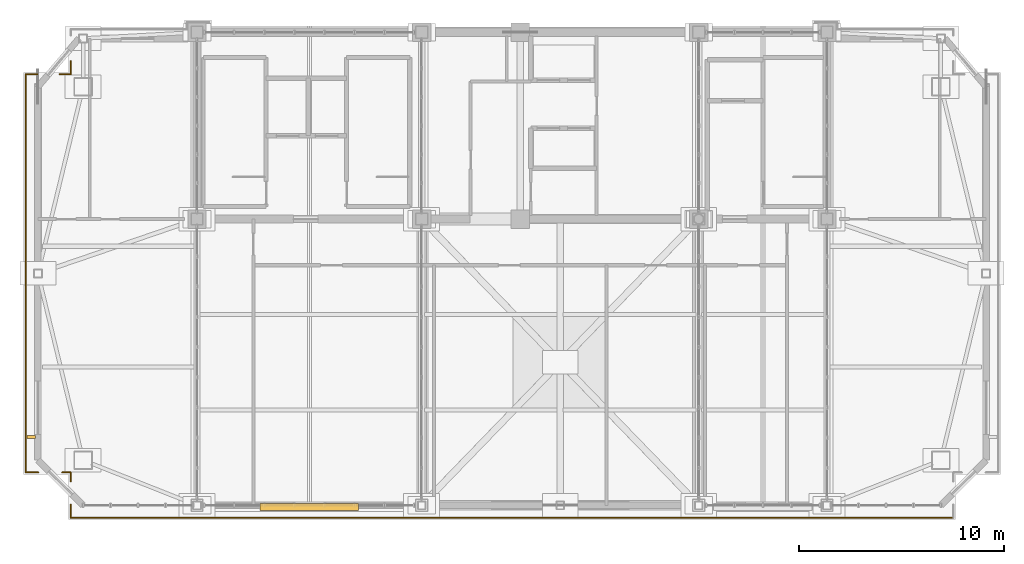
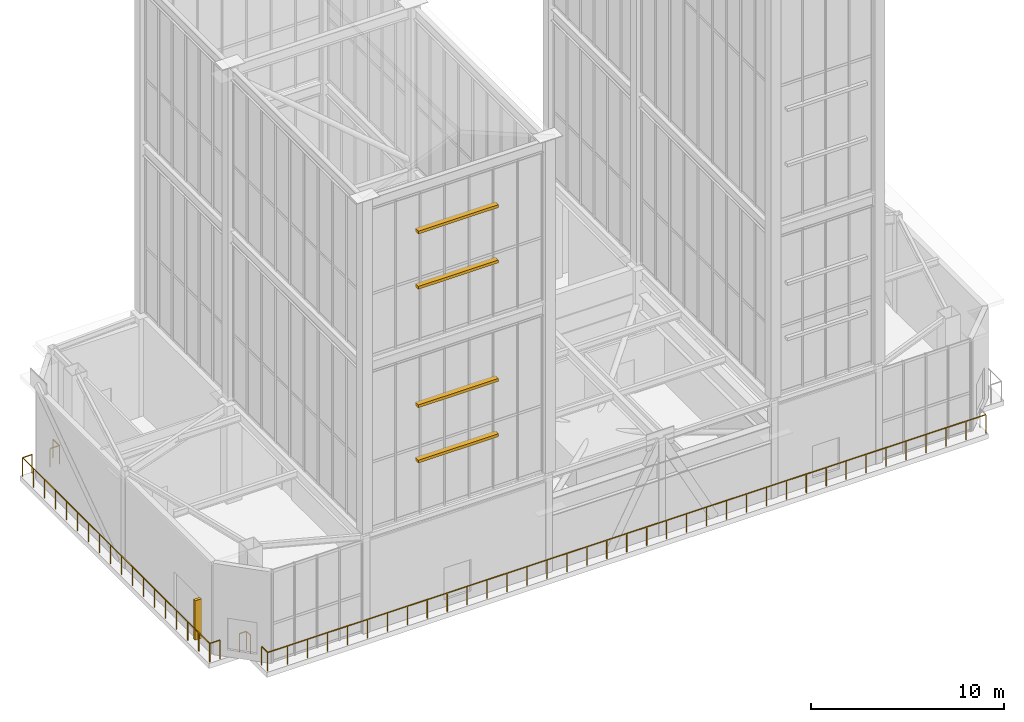
# One storey, part 133 of 135: 9 railings, 5 shading devices.
"""IFC4 building model written with IfcOpenShell, lengths in metres."""

import ifcopenshell
import ifcopenshell.guid

model = None  # the IFC model being written
_history = None  # IfcOwnerHistory: only IFC2X3 demands one
_inside = {}  # id of a spatial element -> (the spatial element, [elements in it])
_under = {}  # id of a project, library or spatial element -> (it, [spatial elements below it])
_declared = {}  # id of a project -> (the project, [libraries it declares])
_typed = {}  # id of a type object -> (the type object, [elements of that type])
_made_of = {}  # id of a material, layer set ... -> (it, [elements and type objects made of it])


def new_model(schema):
    """Start an empty IFC model of exactly this schema.

    Asked for "IFC4X3", IfcOpenShell would pick the latest addendum, in which some entities
    have other attributes; the version numbers below select the first issue.
    IFC2X3 requires an IfcOwnerHistory on every rooted entity: one is made here for all.
    """
    global model, _history
    if schema == "IFC4X3":
        model = ifcopenshell.file(schema_version=(4, 3, 0, 0))
    else:
        model = ifcopenshell.file(schema=schema)
    _inside.clear()
    _under.clear()
    _declared.clear()
    _typed.clear()
    _made_of.clear()
    _history = None
    if model.schema == "IFC2X3":
        org = make("IfcOrganization", Name="unknown")
        user = make(
            "IfcPersonAndOrganization",
            ThePerson=make("IfcPerson", FamilyName="unknown"),
            TheOrganization=org,
        )
        app = make(
            "IfcApplication",
            ApplicationDeveloper=org,
            Version="unknown",
            ApplicationFullName="unknown",
            ApplicationIdentifier="unknown",
        )
        _history = make(
            "IfcOwnerHistory",
            OwningUser=user,
            OwningApplication=app,
            ChangeAction="ADDED",
            CreationDate=0,
        )
    return model


def make(cls, **values):
    """One entity of the class cls with the attributes given. An attribute that is None is left unset."""
    return model.create_entity(
        cls, **{name: value for name, value in values.items() if value is not None}
    )


def rooted(cls, **values):
    """An entity with a GlobalId (a new one), such as an element, a storey or a relation."""
    return make(cls, GlobalId=ifcopenshell.guid.new(), OwnerHistory=_history, **values)


def si_unit(unit_type, name, prefix=None):
    """IfcSIUnit, for example si_unit("LENGTHUNIT", "METRE", prefix="MILLI")."""
    return make("IfcSIUnit", UnitType=unit_type, Prefix=prefix, Name=name)


def assignment(units):
    """IfcUnitAssignment: the units of a project."""
    return None if units is None else make("IfcUnitAssignment", Units=units)


def point(xyz):
    """IfcCartesianPoint."""
    return None if xyz is None else make("IfcCartesianPoint", Coordinates=xyz)


def direction(xyz):
    """IfcDirection."""
    return None if xyz is None else make("IfcDirection", DirectionRatios=xyz)


def frame(location, z_axis=None, x_axis=None):
    """IfcAxis2Placement3D, a coordinate frame: its origin and axes. An axis left out is left unset."""
    return make(
        "IfcAxis2Placement3D",
        Location=point(location),
        Axis=direction(z_axis),
        RefDirection=direction(x_axis),
    )


def frame_2d(location, x_axis=None):
    """IfcAxis2Placement2D, a coordinate frame in the plane: its origin and x axis."""
    return make(
        "IfcAxis2Placement2D", Location=point(location), RefDirection=direction(x_axis)
    )


def origin():
    """The frame at (0, 0, 0) with its axes left unset."""
    return frame((0.0, 0.0, 0.0))


def origin_2d():
    """The frame at (0, 0) in the plane with its x axis left unset."""
    return frame_2d((0.0, 0.0))


def place(relative_to, where):
    """IfcLocalPlacement: puts the frame where relative to a parent placement (None: the world)."""
    return make(
        "IfcLocalPlacement", PlacementRelTo=relative_to, RelativePlacement=where
    )


def context(
    kind, dimensions, precision=None, world=None, true_north=None, identifier=None
):
    """IfcGeometricRepresentationContext, for example the 3D "Model" context."""
    return make(
        "IfcGeometricRepresentationContext",
        ContextIdentifier=identifier,
        ContextType=kind,
        CoordinateSpaceDimension=dimensions,
        Precision=precision,
        WorldCoordinateSystem=world,
        TrueNorth=true_north,
    )


def subcontext(parent, identifier, kind, view, scale=None):
    """IfcGeometricRepresentationSubContext, for example "Body" below "Model"."""
    return make(
        "IfcGeometricRepresentationSubContext",
        ContextIdentifier=identifier,
        ContextType=kind,
        ParentContext=parent,
        TargetScale=scale,
        TargetView=view,
    )


def project(units=None, contexts=None):
    """IfcProject with its units and contexts."""
    return rooted(
        "IfcProject",
        Name="project",
        RepresentationContexts=contexts,
        UnitsInContext=assignment(units),
    )


def spatial(cls, under=None, at=None, **own):
    """A site, building, storey or space (cls), placed at a placement, below another one or the project."""
    s = rooted(cls, ObjectPlacement=at, **own)
    if under is not None:
        _under.setdefault(under.id(), (under, []))[1].append(s)
    return s


def profile(cls, at=None, kind="AREA", **sizes):
    """A parametric profile (cls). Its sizes go by their IFC names, for example OverallWidth=200.0."""
    return make(cls, ProfileType=kind, Position=at, **sizes)


def rectangle(**sizes):
    """IfcRectangleProfileDef."""
    return profile("IfcRectangleProfileDef", **sizes)


def extrude(swept, where, along, depth):
    """IfcExtrudedAreaSolid: the profile swept, set in the frame where, extruded along a direction by depth."""
    return make(
        "IfcExtrudedAreaSolid",
        SweptArea=swept,
        Position=where,
        ExtrudedDirection=direction(along),
        Depth=depth,
    )


def shape(context_of_items, identifier, shape_type, items):
    """IfcShapeRepresentation: the items that make up one representation, for example the "Body"."""
    return make(
        "IfcShapeRepresentation",
        ContextOfItems=context_of_items,
        RepresentationIdentifier=identifier,
        RepresentationType=shape_type,
        Items=items,
    )


def source(mapping_origin, context_of_items, identifier, shape_type, items):
    """IfcRepresentationMap: a shape defined once, which mapped items show again and again."""
    return make(
        "IfcRepresentationMap",
        MappingOrigin=mapping_origin,
        MappedRepresentation=shape(context_of_items, identifier, shape_type, items),
    )


def transform(
    local_origin,
    x_axis=None,
    y_axis=None,
    z_axis=None,
    scale=None,
    scale2=None,
    scale3=None,
    uniform=True,
):
    """IfcCartesianTransformationOperator3D, or its non-uniform kind. x_axis, y_axis, z_axis: its Axis1, 2, 3."""
    if uniform:
        return make(
            "IfcCartesianTransformationOperator3D",
            Axis1=direction(x_axis),
            Axis2=direction(y_axis),
            LocalOrigin=point(local_origin),
            Scale=scale,
            Axis3=direction(z_axis),
        )
    return make(
        "IfcCartesianTransformationOperator3DnonUniform",
        Axis1=direction(x_axis),
        Axis2=direction(y_axis),
        LocalOrigin=point(local_origin),
        Scale=scale,
        Axis3=direction(z_axis),
        Scale2=scale2,
        Scale3=scale3,
    )


def mapped(mapping_source, mapping_target):
    """IfcMappedItem: shows the shape of a source again, moved by a transform."""
    return make(
        "IfcMappedItem", MappingSource=mapping_source, MappingTarget=mapping_target
    )


def material(Name=None, Category=None):
    """IfcMaterial."""
    return make("IfcMaterial", Name=Name, Category=Category)


def made_of(thing, what):
    """Note that an element or type object is made of a material, layer set ...; save() writes the relation."""
    if what is not None:
        _made_of.setdefault(what.id(), (what, []))[1].append(thing)
    return thing


def type_object(cls, material=None, **own):
    """A type object (cls), such as IfcWallType, which elements share."""
    return made_of(rooted(cls, **own), material)


def element(
    cls,
    number,
    at=None,
    inside=None,
    cuts=None,
    type_object=None,
    material=None,
    context=None,
    identifier="Body",
    shape_type=None,
    held_by="IfcProductDefinitionShape",
    body=None,
    shapes=None,
    **own,
):
    """One element of the class cls, such as IfcWall. Its Tag is "e" and its number.

    at: its placement. inside: the storey or other place that contains it. cuts: it is an
    opening in that element (IfcRelVoidsElement). A single representation is given by context,
    identifier, shape_type and body (its items); several are given by shapes. held_by: the class
    of the entity that holds the representations. save() writes the other relations.
    """
    e = rooted(cls, Tag="e%d" % number, ObjectPlacement=at, **own)
    if body is not None:
        shapes = [shape(context, identifier, shape_type, body)]
    if shapes is not None:
        e.Representation = make(held_by, Representations=shapes)
    if inside is not None:
        _inside.setdefault(inside.id(), (inside, []))[1].append(e)
    if cuts is not None:
        rooted(
            "IfcRelVoidsElement", RelatingBuildingElement=cuts, RelatedOpeningElement=e
        )
    if type_object is not None:
        _typed.setdefault(type_object.id(), (type_object, []))[1].append(e)
    return made_of(e, material)


def aggregate(whole, parts):
    """IfcRelAggregates: a whole, such as a stair, and the parts it consists of."""
    return rooted("IfcRelAggregates", RelatingObject=whole, RelatedObjects=parts)


def save(model, path):
    """Write the relations noted so far, then the file.

    IfcRelAggregates (storeys below a building ...), IfcRelContainedInSpatialStructure (elements
    in a storey), IfcRelDefinesByType, IfcRelAssociatesMaterial and IfcRelDeclares: one each for
    every whole, place, type object, material and project.
    """
    for whole, parts in _under.values():
        aggregate(whole, parts)
    for where, things in _inside.values():
        rooted(
            "IfcRelContainedInSpatialStructure",
            RelatedElements=things,
            RelatingStructure=where,
        )
    for kind, things in _typed.values():
        rooted("IfcRelDefinesByType", RelatedObjects=things, RelatingType=kind)
    for what, things in _made_of.values():
        rooted("IfcRelAssociatesMaterial", RelatedObjects=things, RelatingMaterial=what)
    for by, libraries in _declared.values():
        rooted("IfcRelDeclares", RelatingContext=by, RelatedDefinitions=libraries)
    model.write(path)


model = new_model("IFC4")

# Units and contexts
model_context = context("Model", 3, precision=1e-05, world=origin(), true_north=direction((0.0, 1.0)))
body_context = subcontext(model_context, "Body", "Model", "MODEL_VIEW")
ifc_project = project(units=[si_unit("LENGTHUNIT", "METRE"), si_unit("AREAUNIT", "SQUARE_METRE"), si_unit("VOLUMEUNIT", "CUBIC_METRE"), si_unit("PLANEANGLEUNIT", "RADIAN"), si_unit("MASSUNIT", "GRAM", prefix="KILO")], contexts=[model_context])

# Site, building, storey
site_placement = place(None, origin())
site = spatial("IfcSite", under=ifc_project, at=site_placement, CompositionType="ELEMENT")
building_placement = place(site_placement, origin())
building = spatial("IfcBuilding", under=site, at=building_placement, Name="Giltprow Tower", CompositionType="ELEMENT")
storey_placement = place(building_placement, frame((0.0, 0.0, 352.699951171875)))
storey = spatial("IfcBuildingStorey", under=building, at=storey_placement, Name="L92", CompositionType="ELEMENT", Elevation=352.699951171875)

# Railings
ifc_material = material(Name="Anodized bronze", Category="metal")
railing_type = type_object("IfcRailingType", Name="RAIL-BALC-GUARD-1200", PredefinedType="BALUSTRADE", material=ifc_material)
railing_1_placement = place(storey_placement, frame((56.699951171875, 22.89990234375, 0.0)))
element("IfcRailing", 1, at=railing_1_placement, inside=storey, type_object=railing_type, Name="L92 Corner Apron Edge Balustrade 6", PredefinedType="BALUSTRADE", context=body_context, shape_type="SweptSolid", body=[
    extrude(rectangle(XDim=0.048095703125, YDim=0.048095703125, at=origin_2d()), frame((0.0, 0.0, 1.17578125), z_axis=(-1.0, 0.0, 0.0), x_axis=(0.0, -1.0, 0.0)), (0.0, 0.0, 1.0), 43.0),
    extrude(rectangle(XDim=0.0419921875, YDim=0.0419921875, at=origin_2d()), origin(), (0.0, 0.0, 1.0), 1.15185546875),
    extrude(rectangle(XDim=0.0419921875, YDim=0.0419921875, at=origin_2d()), frame((-1.1943359375, 0.0, 0.0)), (0.0, 0.0, 1.0), 1.15185546875),
    extrude(rectangle(XDim=0.0419921875, YDim=0.0419921875, at=origin_2d()), frame((-2.388916015625, 0.0, 0.0)), (0.0, 0.0, 1.0), 1.15185546875),
    extrude(rectangle(XDim=0.0419921875, YDim=0.0419921875, at=origin_2d()), frame((-3.583251953125, 0.0, 0.0)), (0.0, 0.0, 1.0), 1.15185546875),
    extrude(rectangle(XDim=0.0419921875, YDim=0.0419921875, at=origin_2d()), frame((-4.77783203125, 0.0, 0.0)), (0.0, 0.0, 1.0), 1.15185546875),
    extrude(rectangle(XDim=0.0419921875, YDim=0.0419921875, at=origin_2d()), frame((-5.97216796875, 0.0, 0.0)), (0.0, 0.0, 1.0), 1.15185546875),
    extrude(rectangle(XDim=0.0419921875, YDim=0.0419921875, at=origin_2d()), frame((-7.166748046875, 0.0, 0.0)), (0.0, 0.0, 1.0), 1.15185546875),
    extrude(rectangle(XDim=0.0419921875, YDim=0.0419921875, at=origin_2d()), frame((-8.361083984375, 0.0, 0.0)), (0.0, 0.0, 1.0), 1.15185546875),
    extrude(rectangle(XDim=0.0419921875, YDim=0.0419921875, at=origin_2d()), frame((-9.5556640625, 0.0, 0.0)), (0.0, 0.0, 1.0), 1.15185546875),
    extrude(rectangle(XDim=0.0419921875, YDim=0.0419921875, at=origin_2d()), frame((-10.75, 0.0, 0.0)), (0.0, 0.0, 1.0), 1.15185546875),
    extrude(rectangle(XDim=0.0419921875, YDim=0.0419921875, at=origin_2d()), frame((-11.9443359375, 0.0, 0.0)), (0.0, 0.0, 1.0), 1.15185546875),
    extrude(rectangle(XDim=0.0419921875, YDim=0.0419921875, at=origin_2d()), frame((-13.138916015625, 0.0, 0.0)), (0.0, 0.0, 1.0), 1.15185546875),
    extrude(rectangle(XDim=0.0419921875, YDim=0.0419921875, at=origin_2d()), frame((-14.333251953125, 0.0, 0.0)), (0.0, 0.0, 1.0), 1.15185546875),
    extrude(rectangle(XDim=0.0419921875, YDim=0.0419921875, at=origin_2d()), frame((-15.52783203125, 0.0, 0.0)), (0.0, 0.0, 1.0), 1.15185546875),
    extrude(rectangle(XDim=0.0419921875, YDim=0.0419921875, at=origin_2d()), frame((-16.72216796875, 0.0, 0.0)), (0.0, 0.0, 1.0), 1.15185546875),
    extrude(rectangle(XDim=0.0419921875, YDim=0.0419921875, at=origin_2d()), frame((-17.916748046875, 0.0, 0.0)), (0.0, 0.0, 1.0), 1.15185546875),
    extrude(rectangle(XDim=0.0419921875, YDim=0.0419921875, at=origin_2d()), frame((-19.111083984375, 0.0, 0.0)), (0.0, 0.0, 1.0), 1.15185546875),
    extrude(rectangle(XDim=0.0419921875, YDim=0.0419921875, at=origin_2d()), frame((-20.3056640625, 0.0, 0.0)), (0.0, 0.0, 1.0), 1.15185546875),
    extrude(rectangle(XDim=0.0419921875, YDim=0.0419921875, at=origin_2d()), frame((-21.5, 0.0, 0.0)), (0.0, 0.0, 1.0), 1.15185546875),
    extrude(rectangle(XDim=0.0419921875, YDim=0.0419921875, at=origin_2d()), frame((-22.6943359375, 0.0, 0.0)), (0.0, 0.0, 1.0), 1.15185546875),
    extrude(rectangle(XDim=0.0419921875, YDim=0.0419921875, at=origin_2d()), frame((-23.888916015625, 0.0, 0.0)), (0.0, 0.0, 1.0), 1.15185546875),
    extrude(rectangle(XDim=0.0419921875, YDim=0.0419921875, at=origin_2d()), frame((-25.083251953125, 0.0, 0.0)), (0.0, 0.0, 1.0), 1.15185546875),
    extrude(rectangle(XDim=0.0419921875, YDim=0.0419921875, at=origin_2d()), frame((-26.27783203125, 0.0, 0.0)), (0.0, 0.0, 1.0), 1.15185546875),
    extrude(rectangle(XDim=0.0419921875, YDim=0.0419921875, at=origin_2d()), frame((-27.47216796875, 0.0, 0.0)), (0.0, 0.0, 1.0), 1.15185546875),
    extrude(rectangle(XDim=0.0419921875, YDim=0.0419921875, at=origin_2d()), frame((-28.666748046875, 0.0, 0.0)), (0.0, 0.0, 1.0), 1.15185546875),
    extrude(rectangle(XDim=0.0419921875, YDim=0.0419921875, at=origin_2d()), frame((-29.861083984375, 0.0, 0.0)), (0.0, 0.0, 1.0), 1.15185546875),
    extrude(rectangle(XDim=0.0419921875, YDim=0.0419921875, at=origin_2d()), frame((-31.0556640625, 0.0, 0.0)), (0.0, 0.0, 1.0), 1.15185546875),
    extrude(rectangle(XDim=0.0419921875, YDim=0.0419921875, at=origin_2d()), frame((-32.25, 0.0, 0.0)), (0.0, 0.0, 1.0), 1.15185546875),
    extrude(rectangle(XDim=0.0419921875, YDim=0.0419921875, at=origin_2d()), frame((-33.4443359375, 0.0, 0.0)), (0.0, 0.0, 1.0), 1.15185546875),
    extrude(rectangle(XDim=0.0419921875, YDim=0.0419921875, at=origin_2d()), frame((-34.638916015625, 0.0, 0.0)), (0.0, 0.0, 1.0), 1.15185546875),
    extrude(rectangle(XDim=0.0419921875, YDim=0.0419921875, at=origin_2d()), frame((-35.833251953125, 0.0, 0.0)), (0.0, 0.0, 1.0), 1.15185546875),
    extrude(rectangle(XDim=0.0419921875, YDim=0.0419921875, at=origin_2d()), frame((-37.02783203125, 0.0, 0.0)), (0.0, 0.0, 1.0), 1.15185546875),
    extrude(rectangle(XDim=0.0419921875, YDim=0.0419921875, at=origin_2d()), frame((-38.22216796875, 0.0, 0.0)), (0.0, 0.0, 1.0), 1.15185546875),
    extrude(rectangle(XDim=0.0419921875, YDim=0.0419921875, at=origin_2d()), frame((-39.416748046875, 0.0, 0.0)), (0.0, 0.0, 1.0), 1.15185546875),
    extrude(rectangle(XDim=0.0419921875, YDim=0.0419921875, at=origin_2d()), frame((-40.611083984375, 0.0, 0.0)), (0.0, 0.0, 1.0), 1.15185546875),
    extrude(rectangle(XDim=0.0419921875, YDim=0.0419921875, at=origin_2d()), frame((-41.8056640625, 0.0, 0.0)), (0.0, 0.0, 1.0), 1.15185546875),
    extrude(rectangle(XDim=0.0419921875, YDim=0.0419921875, at=origin_2d()), frame((-43.0, 0.0, 0.0)), (0.0, 0.0, 1.0), 1.15185546875),
])
railing_2_placement = place(storey_placement, frame((13.699951171875, 22.89990234375, 0.0)))
element("IfcRailing", 2, at=railing_2_placement, inside=storey, type_object=railing_type, Name="L92 Corner Apron Edge Balustrade 7", PredefinedType="BALUSTRADE", context=body_context, shape_type="SweptSolid", body=[
    extrude(rectangle(XDim=0.048095703125, YDim=0.048095703125, at=origin_2d()), frame((0.0, 0.0, 1.17578125), z_axis=(0.0, 1.0, 0.0), x_axis=(-1.0, 0.0, 0.0)), (0.0, 0.0, 1.0), 0.6201171875),
    extrude(rectangle(XDim=0.0419921875, YDim=0.0419921875, at=origin_2d()), origin(), (0.0, 0.0, 1.0), 1.15185546875),
    extrude(rectangle(XDim=0.0419921875, YDim=0.0419921875, at=origin_2d()), frame((0.0, 0.6201171875, 0.0)), (0.0, 0.0, 1.0), 1.15185546875),
])
railing_3_placement = place(storey_placement, frame((13.699951171875, 24.679931640625, 0.0)))
element("IfcRailing", 3, at=railing_3_placement, inside=storey, type_object=railing_type, Name="L92 Corner Apron Edge Balustrade 8", PredefinedType="BALUSTRADE", context=body_context, shape_type="SweptSolid", body=[
    extrude(rectangle(XDim=0.048095703125, YDim=0.048095703125, at=origin_2d()), frame((0.0, 0.0, 1.17578125), z_axis=(0.0, 1.0, 0.0), x_axis=(-1.0, 0.0, 0.0)), (0.0, 0.0, 1.0), 0.420166015625),
    extrude(rectangle(XDim=0.0419921875, YDim=0.0419921875, at=origin_2d()), origin(), (0.0, 0.0, 1.0), 1.15185546875),
    extrude(rectangle(XDim=0.0419921875, YDim=0.0419921875, at=origin_2d()), frame((0.0, 0.420166015625, 0.0)), (0.0, 0.0, 1.0), 1.15185546875),
])
railing_4_placement = place(storey_placement, frame((13.699951171875, 25.10009765625, 0.0)))
element("IfcRailing", 4, at=railing_4_placement, inside=storey, type_object=railing_type, Name="L92 Corner Apron Edge Balustrade 9", PredefinedType="BALUSTRADE", context=body_context, shape_type="SweptSolid", body=[
    extrude(rectangle(XDim=0.048095703125, YDim=0.048095703125, at=origin_2d()), frame((0.0, 0.0, 1.17578125), z_axis=(-1.0, 0.0, 0.0), x_axis=(0.0, -1.0, 0.0)), (0.0, 0.0, 1.0), 0.419921875),
    extrude(rectangle(XDim=0.0419921875, YDim=0.0419921875, at=origin_2d()), origin(), (0.0, 0.0, 1.0), 1.15185546875),
    extrude(rectangle(XDim=0.0419921875, YDim=0.0419921875, at=origin_2d()), frame((-0.419921875, 0.0, 0.0)), (0.0, 0.0, 1.0), 1.15185546875),
])
railing_5_placement = place(storey_placement, frame((12.1201171875, 25.10009765625, 0.0)))
element("IfcRailing", 5, at=railing_5_placement, inside=storey, type_object=railing_type, Name="L92 Corner Apron Edge Balustrade 10", PredefinedType="BALUSTRADE", context=body_context, shape_type="SweptSolid", body=[
    extrude(rectangle(XDim=0.048095703125, YDim=0.048095703125, at=origin_2d()), frame((0.0, 0.0, 1.17578125), z_axis=(-1.0, 0.0, 0.0), x_axis=(0.0, -1.0, 0.0)), (0.0, 0.0, 1.0), 0.6201171875),
    extrude(rectangle(XDim=0.0419921875, YDim=0.0419921875, at=origin_2d()), origin(), (0.0, 0.0, 1.0), 1.15185546875),
    extrude(rectangle(XDim=0.0419921875, YDim=0.0419921875, at=origin_2d()), frame((-0.6201171875, 0.0, 0.0)), (0.0, 0.0, 1.0), 1.15185546875),
])
railing_6_placement = place(storey_placement, frame((11.5, 25.10009765625, 0.0)))
element("IfcRailing", 6, at=railing_6_placement, inside=storey, type_object=railing_type, Name="L92 Corner Apron Edge Balustrade 11", PredefinedType="BALUSTRADE", context=body_context, shape_type="SweptSolid", body=[
    extrude(rectangle(XDim=0.048095703125, YDim=0.048095703125, at=origin_2d()), frame((0.0, 0.0, 1.17578125), z_axis=(0.0, 1.0, 0.0), x_axis=(-1.0, 0.0, 0.0)), (0.0, 0.0, 1.0), 19.39990234375),
    extrude(rectangle(XDim=0.0419921875, YDim=0.0419921875, at=origin_2d()), origin(), (0.0, 0.0, 1.0), 1.15185546875),
    extrude(rectangle(XDim=0.0419921875, YDim=0.0419921875, at=origin_2d()), frame((0.0, 1.14111328125, 0.0)), (0.0, 0.0, 1.0), 1.15185546875),
    extrude(rectangle(XDim=0.0419921875, YDim=0.0419921875, at=origin_2d()), frame((0.0, 2.2822265625, 0.0)), (0.0, 0.0, 1.0), 1.15185546875),
    extrude(rectangle(XDim=0.0419921875, YDim=0.0419921875, at=origin_2d()), frame((0.0, 3.423583984375, 0.0)), (0.0, 0.0, 1.0), 1.15185546875),
    extrude(rectangle(XDim=0.0419921875, YDim=0.0419921875, at=origin_2d()), frame((0.0, 4.564697265625, 0.0)), (0.0, 0.0, 1.0), 1.15185546875),
    extrude(rectangle(XDim=0.0419921875, YDim=0.0419921875, at=origin_2d()), frame((0.0, 5.705810546875, 0.0)), (0.0, 0.0, 1.0), 1.15185546875),
    extrude(rectangle(XDim=0.0419921875, YDim=0.0419921875, at=origin_2d()), frame((0.0, 6.846923828125, 0.0)), (0.0, 0.0, 1.0), 1.15185546875),
    extrude(rectangle(XDim=0.0419921875, YDim=0.0419921875, at=origin_2d()), frame((0.0, 7.98828125, 0.0)), (0.0, 0.0, 1.0), 1.15185546875),
    extrude(rectangle(XDim=0.0419921875, YDim=0.0419921875, at=origin_2d()), frame((0.0, 9.12939453125, 0.0)), (0.0, 0.0, 1.0), 1.15185546875),
    extrude(rectangle(XDim=0.0419921875, YDim=0.0419921875, at=origin_2d()), frame((0.0, 10.2705078125, 0.0)), (0.0, 0.0, 1.0), 1.15185546875),
    extrude(rectangle(XDim=0.0419921875, YDim=0.0419921875, at=origin_2d()), frame((0.0, 11.41162109375, 0.0)), (0.0, 0.0, 1.0), 1.15185546875),
    extrude(rectangle(XDim=0.0419921875, YDim=0.0419921875, at=origin_2d()), frame((0.0, 12.552978515625, 0.0)), (0.0, 0.0, 1.0), 1.15185546875),
    extrude(rectangle(XDim=0.0419921875, YDim=0.0419921875, at=origin_2d()), frame((0.0, 13.694091796875, 0.0)), (0.0, 0.0, 1.0), 1.15185546875),
    extrude(rectangle(XDim=0.0419921875, YDim=0.0419921875, at=origin_2d()), frame((0.0, 14.835205078125, 0.0)), (0.0, 0.0, 1.0), 1.15185546875),
    extrude(rectangle(XDim=0.0419921875, YDim=0.0419921875, at=origin_2d()), frame((0.0, 15.976318359375, 0.0)), (0.0, 0.0, 1.0), 1.15185546875),
    extrude(rectangle(XDim=0.0419921875, YDim=0.0419921875, at=origin_2d()), frame((0.0, 17.11767578125, 0.0)), (0.0, 0.0, 1.0), 1.15185546875),
    extrude(rectangle(XDim=0.0419921875, YDim=0.0419921875, at=origin_2d()), frame((0.0, 18.2587890625, 0.0)), (0.0, 0.0, 1.0), 1.15185546875),
    extrude(rectangle(XDim=0.0419921875, YDim=0.0419921875, at=origin_2d()), frame((0.0, 19.39990234375, 0.0)), (0.0, 0.0, 1.0), 1.15185546875),
])
railing_7_placement = place(storey_placement, frame((11.5, 44.5, 0.0)))
element("IfcRailing", 7, at=railing_7_placement, inside=storey, type_object=railing_type, Name="L92 Corner Apron Edge Balustrade 12", PredefinedType="BALUSTRADE", context=body_context, shape_type="SweptSolid", body=[
    extrude(rectangle(XDim=0.048095703125, YDim=0.048095703125, at=origin_2d()), frame((0.0, 0.0, 1.17578125), z_axis=(1.0, 0.0, 0.0), x_axis=(0.0, 1.0, 0.0)), (0.0, 0.0, 1.0), 0.572021484375),
    extrude(rectangle(XDim=0.0419921875, YDim=0.0419921875, at=origin_2d()), origin(), (0.0, 0.0, 1.0), 1.15185546875),
    extrude(rectangle(XDim=0.0419921875, YDim=0.0419921875, at=origin_2d()), frame((0.572021484375, 0.0, 0.0)), (0.0, 0.0, 1.0), 1.15185546875),
])
railing_8_placement = place(storey_placement, frame((13.14892578125, 44.5, 0.0)))
element("IfcRailing", 8, at=railing_8_placement, inside=storey, type_object=railing_type, Name="L92 Corner Apron Edge Balustrade 13", PredefinedType="BALUSTRADE", context=body_context, shape_type="SweptSolid", body=[
    extrude(rectangle(XDim=0.048095703125, YDim=0.048095703125, at=origin_2d()), frame((0.0, 0.0, 1.17578125), z_axis=(1.0, 0.0, 0.0), x_axis=(0.0, 1.0, 0.0)), (0.0, 0.0, 1.0), 0.551025390625),
    extrude(rectangle(XDim=0.0419921875, YDim=0.0419921875, at=origin_2d()), origin(), (0.0, 0.0, 1.0), 1.15185546875),
    extrude(rectangle(XDim=0.0419921875, YDim=0.0419921875, at=origin_2d()), frame((0.551025390625, 0.0, 0.0)), (0.0, 0.0, 1.0), 1.15185546875),
])
railing_9_placement = place(storey_placement, frame((13.699951171875, 44.5, 0.0)))
element("IfcRailing", 9, at=railing_9_placement, inside=storey, type_object=railing_type, Name="L92 Corner Apron Edge Balustrade 14", PredefinedType="BALUSTRADE", context=body_context, shape_type="SweptSolid", body=[
    extrude(rectangle(XDim=0.048095703125, YDim=0.048095703125, at=origin_2d()), frame((0.0, 0.0, 1.17578125), z_axis=(0.0, 1.0, 0.0), x_axis=(-1.0, 0.0, 0.0)), (0.0, 0.0, 1.0), 0.64697265625),
    extrude(rectangle(XDim=0.0419921875, YDim=0.0419921875, at=origin_2d()), origin(), (0.0, 0.0, 1.0), 1.15185546875),
    extrude(rectangle(XDim=0.0419921875, YDim=0.0419921875, at=origin_2d()), frame((0.0, 0.64697265625, 0.0)), (0.0, 0.0, 1.0), 1.15185546875),
])

# Shading devices
shading_device_type_1 = type_object("IfcShadingDeviceType", Name="SHD-FIN-420", PredefinedType="USERDEFINED", material=ifc_material)
shared_shape_1 = source(origin(), body_context, "Body", "SweptSolid", [
    extrude(rectangle(XDim=0.419921875, YDim=0.159912109375, at=origin_2d()), origin(), (0.0, 0.0, 1.0), 2.5),
])
shading_device_placement = place(storey_placement, frame((11.780029296875, 26.833984375, 0.35009765625), z_axis=(0.0, 0.0, 1.0), x_axis=(1.0, 0.0, 0.0)))
element("IfcShadingDevice", 10, at=shading_device_placement, inside=storey, type_object=shading_device_type_1, Name="L92 W Bronze Vertical Fin 1-1", ObjectType="FIN", PredefinedType="USERDEFINED", context=body_context, shape_type="MappedRepresentation", body=[
    mapped(shared_shape_1, transform((0.0, 0.0, 0.0), x_axis=(1.0, 0.0, 0.0), y_axis=(0.0, 1.0, 0.0), z_axis=(0.0, 0.0, 1.0), scale=1.0)),
])
shading_device_type_2 = type_object("IfcShadingDeviceType", Name="SHD-CROWN-SLAT-180", PredefinedType="USERDEFINED", material=ifc_material)
shared_shape_2 = source(origin(), body_context, "Body", "SweptSolid", [
    extrude(rectangle(XDim=4.800048828125, YDim=0.320068359375, at=origin_2d()), origin(), (0.0, 0.0, 1.0), 0.179931640625),
])
for number, where, z_axis, x_axis, name in (
    (11, (25.324951171875, 23.419921875, 9.7099609375), (0.0, 0.0, 1.0), (1.0, 0.0, 0.0), "Crown West Bronze Sunshade Slat 1"),
    (12, (25.324951171875, 23.419921875, 13.2099609375), (0.0, 0.0, 1.0), (1.0, 0.0, 0.0), "Crown West Bronze Sunshade Slat 2"),
    (13, (25.324951171875, 23.419921875, 20.7099609375), (0.0, 0.0, 1.0), (1.0, 0.0, 0.0), "Crown West Bronze Sunshade Slat 3"),
    (14, (25.324951171875, 23.419921875, 24.2099609375), (0.0, 0.0, 1.0), (1.0, 0.0, 0.0), "Crown West Bronze Sunshade Slat 4"),
):
    element("IfcShadingDevice", number, at=place(storey_placement, frame(where, z_axis=z_axis, x_axis=x_axis)), inside=storey, type_object=shading_device_type_2, Name=name, ObjectType="SUNSHADE", PredefinedType="USERDEFINED", context=body_context, shape_type="MappedRepresentation", body=[
        mapped(shared_shape_2, transform((0.0, 0.0, 0.0), x_axis=(1.0, 0.0, 0.0), y_axis=(0.0, 1.0, 0.0), z_axis=(0.0, 0.0, 1.0), scale=1.0)),
    ])

save(model, "model.ifc")
